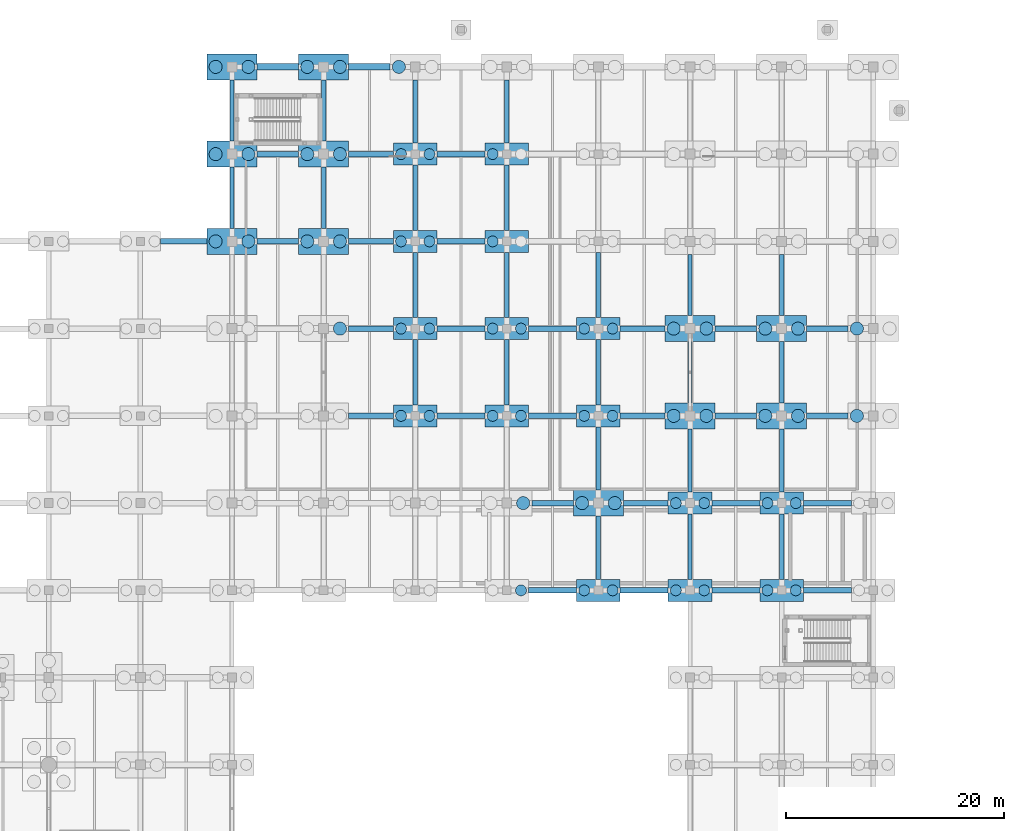
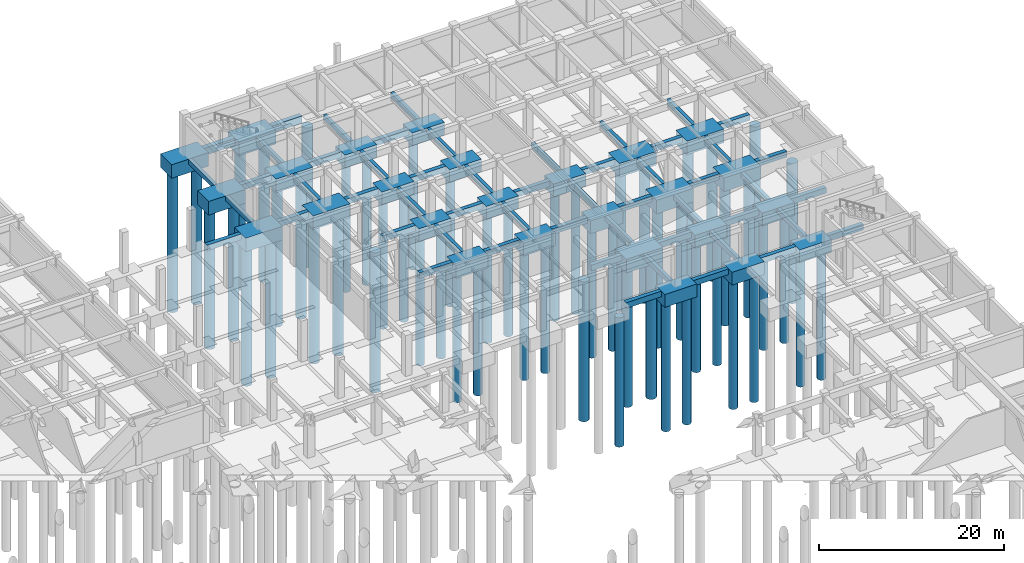
# One storey, part 8 of 56: 79 footings, 56 piles.
"""IFC4 building model written with IfcOpenShell, lengths in metres."""

from ifc_helpers import new_model, si_unit, direction, frame, origin, origin_2d, place, context, subcontext, project, spatial, rectangle, circle, extrude, material, material_profile, profile_set, type_object, element, save


model = new_model("IFC4")

# Units and contexts
model_context = context("Model", 3, precision=1e-05, world=origin(), true_north=direction((0.0, 1.0)))
body_context = subcontext(model_context, "Body", "Model", "MODEL_VIEW")
ifc_project = project(units=[si_unit("LENGTHUNIT", "METRE"), si_unit("AREAUNIT", "SQUARE_METRE"), si_unit("VOLUMEUNIT", "CUBIC_METRE"), si_unit("PLANEANGLEUNIT", "RADIAN"), si_unit("MASSUNIT", "GRAM", prefix="KILO")], contexts=[model_context])

# Site, building, storey
site_placement = place(None, origin())
site = spatial("IfcSite", under=ifc_project, at=site_placement, CompositionType="ELEMENT")
building_placement = place(site_placement, origin())
building = spatial("IfcBuilding", under=site, at=building_placement, Name="Naruveol Harbour Congress Hotel", CompositionType="ELEMENT")
storey_placement = place(building_placement, frame((0.0, 0.0, -5.39990234375)))
storey = spatial("IfcBuildingStorey", under=building, at=storey_placement, Name="B01", CompositionType="ELEMENT", Elevation=-5.39990234375)

# Piles
ifc_material_1 = material(Name="Concrete C40/50", Category="concrete")
ifc_material_profile_1 = material_profile(ifc_material_1, circle(Radius=0.5, at=origin_2d()), Name="BP-1000")
ifc_profile_set_1 = profile_set([ifc_material_profile_1], Name="Concrete C40/50")
pile_type_1 = type_object("IfcPileType", Name="BORED ROCK SOCKETED PILE D1000", PredefinedType="BORED", material=ifc_profile_set_1)
for number, where, z_axis, x_axis, name in (
    (1, (82.699951171875, 80.0, -1.550048828125), (0.0, 0.0, -1.0), (1.0, 0.0, 0.0), "Bored pile BP-1000 #1 under FTG-CAP-0840-0800"),
    (2, (85.300048828125, 80.0, -1.550048828125), (0.0, 0.0, -1.0), (1.0, 0.0, 0.0), "Bored pile BP-1000 #2 under FTG-CAP-0840-0800"),
    (3, (82.699951171875, 88.0, -1.550048828125), (0.0, 0.0, -1.0), (1.0, 0.0, 0.0), "Bored pile BP-1000 #1 under FTG-CAP-0840-0880"),
    (4, (85.300048828125, 88.0, -1.550048828125), (0.0, 0.0, -1.0), (1.0, 0.0, 0.0), "Bored pile BP-1000 #2 under FTG-CAP-0840-0880"),
    (5, (82.699951171875, 96.0, -1.550048828125), (0.0, 0.0, -1.0), (1.0, 0.0, 0.0), "Bored pile BP-1000 #1 under FTG-CAP-0840-0960"),
    (6, (85.300048828125, 96.0, -1.550048828125), (0.0, 0.0, -1.0), (1.0, 0.0, 0.0), "Bored pile BP-1000 #2 under FTG-CAP-0840-0960"),
    (7, (82.699951171875, 104.0, -1.550048828125), (0.0, 0.0, -1.0), (1.0, 0.0, 0.0), "Bored pile BP-1000 #1 under FTG-CAP-0840-1040"),
    (8, (85.300048828125, 104.0, -1.550048828125), (0.0, 0.0, -1.0), (1.0, 0.0, 0.0), "Bored pile BP-1000 #2 under FTG-CAP-0840-1040"),
    (9, (93.699951171875, 64.0, -1.550048828125), (0.0, 0.0, -1.0), (1.0, 0.0, 0.0), "Bored pile BP-1000 #2 under FTG-CAP-0924-0640"),
    (10, (91.10009765625, 80.0, -1.550048828125), (0.0, 0.0, -1.0), (1.0, 0.0, 0.0), "Bored pile BP-1000 #1 under FTG-CAP-0924-0800"),
    (11, (93.699951171875, 80.0, -1.550048828125), (0.0, 0.0, -1.0), (1.0, 0.0, 0.0), "Bored pile BP-1000 #2 under FTG-CAP-0924-0800"),
    (12, (91.10009765625, 88.0, -1.550048828125), (0.0, 0.0, -1.0), (1.0, 0.0, 0.0), "Bored pile BP-1000 #1 under FTG-CAP-0924-0880"),
    (13, (93.699951171875, 88.0, -1.550048828125), (0.0, 0.0, -1.0), (1.0, 0.0, 0.0), "Bored pile BP-1000 #2 under FTG-CAP-0924-0880"),
    (14, (91.10009765625, 96.0, -1.550048828125), (0.0, 0.0, -1.0), (1.0, 0.0, 0.0), "Bored pile BP-1000 #1 under FTG-CAP-0924-0960"),
    (15, (91.10009765625, 104.0, -1.550048828125), (0.0, 0.0, -1.0), (1.0, 0.0, 0.0), "Bored pile BP-1000 #1 under FTG-CAP-0924-1040"),
    (16, (99.5, 64.0, -1.550048828125), (0.0, 0.0, -1.0), (1.0, 0.0, 0.0), "Bored pile BP-1000 #1 under FTG-CAP-1008-0640"),
    (17, (102.10009765625, 64.0, -1.550048828125), (0.0, 0.0, -1.0), (1.0, 0.0, 0.0), "Bored pile BP-1000 #2 under FTG-CAP-1008-0640"),
    (18, (99.5, 80.0, -1.550048828125), (0.0, 0.0, -1.0), (1.0, 0.0, 0.0), "Bored pile BP-1000 #1 under FTG-CAP-1008-0800"),
    (19, (102.10009765625, 80.0, -1.550048828125), (0.0, 0.0, -1.0), (1.0, 0.0, 0.0), "Bored pile BP-1000 #2 under FTG-CAP-1008-0800"),
    (20, (99.5, 88.0, -1.550048828125), (0.0, 0.0, -1.0), (1.0, 0.0, 0.0), "Bored pile BP-1000 #1 under FTG-CAP-1008-0880"),
    (21, (102.10009765625, 88.0, -1.550048828125), (0.0, 0.0, -1.0), (1.0, 0.0, 0.0), "Bored pile BP-1000 #2 under FTG-CAP-1008-0880"),
    (22, (107.89990234375, 64.0, -1.550048828125), (0.0, 0.0, -1.0), (1.0, 0.0, 0.0), "Bored pile BP-1000 #1 under FTG-CAP-1092-0640"),
    (23, (110.5, 64.0, -1.550048828125), (0.0, 0.0, -1.0), (1.0, 0.0, 0.0), "Bored pile BP-1000 #2 under FTG-CAP-1092-0640"),
    (24, (107.89990234375, 72.0, -1.550048828125), (0.0, 0.0, -1.0), (1.0, 0.0, 0.0), "Bored pile BP-1000 #1 under FTG-CAP-1092-0720"),
    (25, (110.5, 72.0, -1.550048828125), (0.0, 0.0, -1.0), (1.0, 0.0, 0.0), "Bored pile BP-1000 #2 under FTG-CAP-1092-0720"),
    (26, (116.300048828125, 64.0, -1.550048828125), (0.0, 0.0, -1.0), (1.0, 0.0, 0.0), "Bored pile BP-1000 #1 under FTG-CAP-1176-0640"),
    (27, (118.89990234375, 64.0, -1.550048828125), (0.0, 0.0, -1.0), (1.0, 0.0, 0.0), "Bored pile BP-1000 #2 under FTG-CAP-1176-0640"),
    (28, (116.300048828125, 72.0, -1.550048828125), (0.0, 0.0, -1.0), (1.0, 0.0, 0.0), "Bored pile BP-1000 #1 under FTG-CAP-1176-0720"),
    (29, (118.89990234375, 72.0, -1.550048828125), (0.0, 0.0, -1.0), (1.0, 0.0, 0.0), "Bored pile BP-1000 #2 under FTG-CAP-1176-0720"),
):
    element("IfcPile", number, at=place(storey_placement, frame(where, z_axis=z_axis, x_axis=x_axis)), inside=storey, type_object=pile_type_1, Name=name, PredefinedType="BORED", context=body_context, shape_type="SweptSolid", body=[
        extrude(circle(Radius=0.5, at=origin_2d()), origin(), (0.0, 0.0, 1.0), 17.050048828125),
    ])
ifc_material_2 = material(Name="Concrete C40/50", Category="concrete")
ifc_material_profile_2 = material_profile(ifc_material_2, circle(Radius=0.60009765625, at=origin_2d()), Name="BP-1200")
ifc_profile_set_2 = profile_set([ifc_material_profile_2], Name="Concrete C40/50")
pile_type_2 = type_object("IfcPileType", Name="BORED ROCK SOCKETED PILE D1200", PredefinedType="BORED", material=ifc_profile_set_2)
for number, where, z_axis, x_axis, name in (
    (30, (65.699951171875, 96.0, -1.650146484375), (0.0, 0.0, -1.0), (1.0, 0.0, 0.0), "Bored pile BP-1200 #1 under FTG-CAP-0672-0960"),
    (31, (68.699951171875, 96.0, -1.650146484375), (0.0, 0.0, -1.0), (1.0, 0.0, 0.0), "Bored pile BP-1200 #2 under FTG-CAP-0672-0960"),
    (32, (65.699951171875, 104.0, -1.650146484375), (0.0, 0.0, -1.0), (1.0, 0.0, 0.0), "Bored pile BP-1200 #1 under FTG-CAP-0672-1040"),
    (33, (68.699951171875, 104.0, -1.650146484375), (0.0, 0.0, -1.0), (1.0, 0.0, 0.0), "Bored pile BP-1200 #2 under FTG-CAP-0672-1040"),
    (34, (65.699951171875, 112.0, -1.650146484375), (0.0, 0.0, -1.0), (1.0, 0.0, 0.0), "Bored pile BP-1200 #1 under FTG-CAP-0672-1120"),
    (35, (68.699951171875, 112.0, -1.650146484375), (0.0, 0.0, -1.0), (1.0, 0.0, 0.0), "Bored pile BP-1200 #2 under FTG-CAP-0672-1120"),
    (36, (77.10009765625, 88.0, -1.650146484375), (0.0, 0.0, -1.0), (1.0, 0.0, 0.0), "Bored pile BP-1200 #2 under FTG-CAP-0756-0880"),
    (37, (74.10009765625, 96.0, -1.650146484375), (0.0, 0.0, -1.0), (1.0, 0.0, 0.0), "Bored pile BP-1200 #1 under FTG-CAP-0756-0960"),
    (38, (77.10009765625, 96.0, -1.650146484375), (0.0, 0.0, -1.0), (1.0, 0.0, 0.0), "Bored pile BP-1200 #2 under FTG-CAP-0756-0960"),
    (39, (74.10009765625, 104.0, -1.650146484375), (0.0, 0.0, -1.0), (1.0, 0.0, 0.0), "Bored pile BP-1200 #1 under FTG-CAP-0756-1040"),
    (40, (77.10009765625, 104.0, -1.650146484375), (0.0, 0.0, -1.0), (1.0, 0.0, 0.0), "Bored pile BP-1200 #2 under FTG-CAP-0756-1040"),
    (41, (74.10009765625, 112.0, -1.650146484375), (0.0, 0.0, -1.0), (1.0, 0.0, 0.0), "Bored pile BP-1200 #1 under FTG-CAP-0756-1120"),
    (42, (77.10009765625, 112.0, -1.650146484375), (0.0, 0.0, -1.0), (1.0, 0.0, 0.0), "Bored pile BP-1200 #2 under FTG-CAP-0756-1120"),
    (43, (82.5, 112.0, -1.650146484375), (0.0, 0.0, -1.0), (1.0, 0.0, 0.0), "Bored pile BP-1200 #1 under FTG-CAP-0840-1120"),
    (44, (93.89990234375, 72.0, -1.650146484375), (0.0, 0.0, -1.0), (1.0, 0.0, 0.0), "Bored pile BP-1200 #2 under FTG-CAP-0924-0720"),
    (45, (99.300048828125, 72.0, -1.650146484375), (0.0, 0.0, -1.0), (1.0, 0.0, 0.0), "Bored pile BP-1200 #1 under FTG-CAP-1008-0720"),
    (46, (102.300048828125, 72.0, -1.650146484375), (0.0, 0.0, -1.0), (1.0, 0.0, 0.0), "Bored pile BP-1200 #2 under FTG-CAP-1008-0720"),
    (47, (107.699951171875, 80.0, -1.650146484375), (0.0, 0.0, -1.0), (1.0, 0.0, 0.0), "Bored pile BP-1200 #1 under FTG-CAP-1092-0800"),
    (48, (110.699951171875, 80.0, -1.650146484375), (0.0, 0.0, -1.0), (1.0, 0.0, 0.0), "Bored pile BP-1200 #2 under FTG-CAP-1092-0800"),
    (49, (107.699951171875, 88.0, -1.650146484375), (0.0, 0.0, -1.0), (1.0, 0.0, 0.0), "Bored pile BP-1200 #1 under FTG-CAP-1092-0880"),
    (50, (110.699951171875, 88.0, -1.650146484375), (0.0, 0.0, -1.0), (1.0, 0.0, 0.0), "Bored pile BP-1200 #2 under FTG-CAP-1092-0880"),
    (51, (116.10009765625, 80.0, -1.650146484375), (0.0, 0.0, -1.0), (1.0, 0.0, 0.0), "Bored pile BP-1200 #1 under FTG-CAP-1176-0800"),
    (52, (119.10009765625, 80.0, -1.650146484375), (0.0, 0.0, -1.0), (1.0, 0.0, 0.0), "Bored pile BP-1200 #2 under FTG-CAP-1176-0800"),
    (53, (116.10009765625, 88.0, -1.650146484375), (0.0, 0.0, -1.0), (1.0, 0.0, 0.0), "Bored pile BP-1200 #1 under FTG-CAP-1176-0880"),
    (54, (119.10009765625, 88.0, -1.650146484375), (0.0, 0.0, -1.0), (1.0, 0.0, 0.0), "Bored pile BP-1200 #2 under FTG-CAP-1176-0880"),
    (55, (124.5, 80.0, -1.650146484375), (0.0, 0.0, -1.0), (1.0, 0.0, 0.0), "Bored pile BP-1200 #1 under FTG-CAP-1260-0800"),
    (56, (124.5, 88.0, -1.650146484375), (0.0, 0.0, -1.0), (1.0, 0.0, 0.0), "Bored pile BP-1200 #1 under FTG-CAP-1260-0880"),
):
    element("IfcPile", number, at=place(storey_placement, frame(where, z_axis=z_axis, x_axis=x_axis)), inside=storey, type_object=pile_type_2, Name=name, PredefinedType="BORED", context=body_context, shape_type="SweptSolid", body=[
        extrude(circle(Radius=0.60009765625, at=origin_2d()), origin(), (0.0, 0.0, 1.0), 18.449951171875),
    ])

# Footings
ifc_material_3 = material(Name="Concrete C40/50", Category="concrete")
ifc_material_profile_3 = material_profile(ifc_material_3, rectangle(XDim=0.39990234375, YDim=0.64990234375, at=origin_2d()), Name="RCB-400x650")
ifc_profile_set_3 = profile_set([ifc_material_profile_3], Name="Concrete C40/50")
footing_type_1 = type_object("IfcFootingType", Name="RC COLONNADE TIE BEAM 400X650", PredefinedType="FOOTING_BEAM", material=ifc_profile_set_3)
for number, where, z_axis, x_axis, name in (
    (57, (67.199951171875, 97.199951171875, -0.3251953125), (0.0, 1.0, 0.0), (-1.0, 0.0, 0.0), "Foundation tie beam TB4 #346"),
    (58, (67.199951171875, 105.199951171875, -0.3251953125), (0.0, 1.0, 0.0), (-1.0, 0.0, 0.0), "Foundation tie beam TB4 #347"),
    (59, (75.60009765625, 97.199951171875, -0.3251953125), (0.0, 1.0, 0.0), (-1.0, 0.0, 0.0), "Foundation tie beam TB4 #356"),
    (60, (75.60009765625, 105.199951171875, -0.3251953125), (0.0, 1.0, 0.0), (-1.0, 0.0, 0.0), "Foundation tie beam TB4 #357"),
):
    element("IfcFooting", number, at=place(storey_placement, frame(where, z_axis=z_axis, x_axis=x_axis)), inside=storey, type_object=footing_type_1, Name=name, PredefinedType="FOOTING_BEAM", context=body_context, shape_type="SweptSolid", body=[
        extrude(rectangle(XDim=0.39990234375, YDim=0.64990234375, at=origin_2d()), origin(), (0.0, 0.0, 1.0), 5.60009765625),
    ])
for number, where, z_axis, x_axis, name in (
    (61, (84.0, 81.0, -0.3251953125), (0.0, 1.0, 0.0), (-1.0, 0.0, 0.0), "Foundation tie beam TB4 #364"),
    (62, (84.0, 89.0, -0.3251953125), (0.0, 1.0, 0.0), (-1.0, 0.0, 0.0), "Foundation tie beam TB4 #365"),
    (63, (84.0, 97.0, -0.3251953125), (0.0, 1.0, 0.0), (-1.0, 0.0, 0.0), "Foundation tie beam TB4 #366"),
):
    element("IfcFooting", number, at=place(storey_placement, frame(where, z_axis=z_axis, x_axis=x_axis)), inside=storey, type_object=footing_type_1, Name=name, PredefinedType="FOOTING_BEAM", context=body_context, shape_type="SweptSolid", body=[
        extrude(rectangle(XDim=0.39990234375, YDim=0.64990234375, at=origin_2d()), origin(), (0.0, 0.0, 1.0), 6.0),
    ])
footing_1_placement = place(storey_placement, frame((84.0, 105.0, -0.3251953125), z_axis=(0.0, 1.0, 0.0), x_axis=(-1.0, 0.0, 0.0)))
element("IfcFooting", 64, at=footing_1_placement, inside=storey, type_object=footing_type_1, Name="Foundation tie beam TB4 #367", PredefinedType="FOOTING_BEAM", context=body_context, shape_type="SweptSolid", body=[
    extrude(rectangle(XDim=0.39990234375, YDim=0.64990234375, at=origin_2d()), origin(), (0.0, 0.0, 1.0), 5.800048828125),
])
for number, where, z_axis, x_axis, name in (
    (65, (92.39990234375, 81.0, -0.3251953125), (0.0, 1.0, 0.0), (-1.0, 0.0, 0.0), "Foundation tie beam TB4 #374"),
    (66, (92.39990234375, 89.0, -0.3251953125), (0.0, 1.0, 0.0), (-1.0, 0.0, 0.0), "Foundation tie beam TB4 #375"),
    (67, (92.39990234375, 97.0, -0.3251953125), (0.0, 1.0, 0.0), (-1.0, 0.0, 0.0), "Foundation tie beam TB4 #376"),
):
    element("IfcFooting", number, at=place(storey_placement, frame(where, z_axis=z_axis, x_axis=x_axis)), inside=storey, type_object=footing_type_1, Name=name, PredefinedType="FOOTING_BEAM", context=body_context, shape_type="SweptSolid", body=[
        extrude(rectangle(XDim=0.39990234375, YDim=0.64990234375, at=origin_2d()), origin(), (0.0, 0.0, 1.0), 6.0),
    ])
for number, where, z_axis, x_axis, name in (
    (68, (92.39990234375, 105.0, -0.3251953125), (0.0, 1.0, 0.0), (-1.0, 0.0, 0.0), "Foundation tie beam TB4 #377"),
    (69, (100.800048828125, 65.0, -0.3251953125), (0.0, 1.0, 0.0), (-1.0, 0.0, 0.0), "Foundation tie beam TB4 #382"),
    (70, (100.800048828125, 73.199951171875, -0.3251953125), (0.0, 1.0, 0.0), (-1.0, 0.0, 0.0), "Foundation tie beam TB4 #383"),
):
    element("IfcFooting", number, at=place(storey_placement, frame(where, z_axis=z_axis, x_axis=x_axis)), inside=storey, type_object=footing_type_1, Name=name, PredefinedType="FOOTING_BEAM", context=body_context, shape_type="SweptSolid", body=[
        extrude(rectangle(XDim=0.39990234375, YDim=0.64990234375, at=origin_2d()), origin(), (0.0, 0.0, 1.0), 5.800048828125),
    ])
for number, where, z_axis, x_axis, name in (
    (71, (100.800048828125, 81.0, -0.3251953125), (0.0, 1.0, 0.0), (-1.0, 0.0, 0.0), "Foundation tie beam TB4 #384"),
    (72, (100.800048828125, 89.0, -0.3251953125), (0.0, 1.0, 0.0), (-1.0, 0.0, 0.0), "Foundation tie beam TB4 #385"),
    (73, (109.199951171875, 65.0, -0.3251953125), (0.0, 1.0, 0.0), (-1.0, 0.0, 0.0), "Foundation tie beam TB4 #396"),
):
    element("IfcFooting", number, at=place(storey_placement, frame(where, z_axis=z_axis, x_axis=x_axis)), inside=storey, type_object=footing_type_1, Name=name, PredefinedType="FOOTING_BEAM", context=body_context, shape_type="SweptSolid", body=[
        extrude(rectangle(XDim=0.39990234375, YDim=0.64990234375, at=origin_2d()), origin(), (0.0, 0.0, 1.0), 6.0),
    ])
footing_2_placement = place(storey_placement, frame((109.199951171875, 73.0, -0.3251953125), z_axis=(0.0, 1.0, 0.0), x_axis=(-1.0, 0.0, 0.0)))
element("IfcFooting", 74, at=footing_2_placement, inside=storey, type_object=footing_type_1, Name="Foundation tie beam TB4 #397", PredefinedType="FOOTING_BEAM", context=body_context, shape_type="SweptSolid", body=[
    extrude(rectangle(XDim=0.39990234375, YDim=0.64990234375, at=origin_2d()), origin(), (0.0, 0.0, 1.0), 5.800048828125),
])
for number, where, z_axis, x_axis, name in (
    (75, (109.199951171875, 81.199951171875, -0.3251953125), (0.0, 1.0, 0.0), (-1.0, 0.0, 0.0), "Foundation tie beam TB4 #398"),
    (76, (109.199951171875, 89.199951171875, -0.3251953125), (0.0, 1.0, 0.0), (-1.0, 0.0, 0.0), "Foundation tie beam TB4 #399"),
):
    element("IfcFooting", number, at=place(storey_placement, frame(where, z_axis=z_axis, x_axis=x_axis)), inside=storey, type_object=footing_type_1, Name=name, PredefinedType="FOOTING_BEAM", context=body_context, shape_type="SweptSolid", body=[
        extrude(rectangle(XDim=0.39990234375, YDim=0.64990234375, at=origin_2d()), origin(), (0.0, 0.0, 1.0), 5.60009765625),
    ])
footing_3_placement = place(storey_placement, frame((117.60009765625, 65.0, -0.3251953125), z_axis=(0.0, 1.0, 0.0), x_axis=(-1.0, 0.0, 0.0)))
element("IfcFooting", 77, at=footing_3_placement, inside=storey, type_object=footing_type_1, Name="Foundation tie beam TB4 #409", PredefinedType="FOOTING_BEAM", context=body_context, shape_type="SweptSolid", body=[
    extrude(rectangle(XDim=0.39990234375, YDim=0.64990234375, at=origin_2d()), origin(), (0.0, 0.0, 1.0), 6.0),
])
footing_4_placement = place(storey_placement, frame((117.60009765625, 73.0, -0.3251953125), z_axis=(0.0, 1.0, 0.0), x_axis=(-1.0, 0.0, 0.0)))
element("IfcFooting", 78, at=footing_4_placement, inside=storey, type_object=footing_type_1, Name="Foundation tie beam TB4 #410", PredefinedType="FOOTING_BEAM", context=body_context, shape_type="SweptSolid", body=[
    extrude(rectangle(XDim=0.39990234375, YDim=0.64990234375, at=origin_2d()), origin(), (0.0, 0.0, 1.0), 5.800048828125),
])
for number, where, z_axis, x_axis, name in (
    (79, (117.60009765625, 81.199951171875, -0.3251953125), (0.0, 1.0, 0.0), (-1.0, 0.0, 0.0), "Foundation tie beam TB4 #411"),
    (80, (117.60009765625, 89.199951171875, -0.3251953125), (0.0, 1.0, 0.0), (-1.0, 0.0, 0.0), "Foundation tie beam TB4 #412"),
):
    element("IfcFooting", number, at=place(storey_placement, frame(where, z_axis=z_axis, x_axis=x_axis)), inside=storey, type_object=footing_type_1, Name=name, PredefinedType="FOOTING_BEAM", context=body_context, shape_type="SweptSolid", body=[
        extrude(rectangle(XDim=0.39990234375, YDim=0.64990234375, at=origin_2d()), origin(), (0.0, 0.0, 1.0), 5.60009765625),
    ])
ifc_material_4 = material(Name="Concrete C40/50", Category="concrete")
ifc_material_profile_4 = material_profile(ifc_material_4, rectangle(XDim=0.5, YDim=0.75, at=origin_2d()), Name="RCB-500x750")
ifc_profile_set_4 = profile_set([ifc_material_profile_4], Name="Concrete C40/50")
footing_type_2 = type_object("IfcFootingType", Name="RC FOUNDATION TIE BEAM 500X750", PredefinedType="FOOTING_BEAM", material=ifc_profile_set_4)
footing_5_placement = place(storey_placement, frame((94.39990234375, 64.0, -0.375), z_axis=(1.0, 0.0, 0.0), x_axis=(0.0, 1.0, 0.0)))
element("IfcFooting", 81, at=footing_5_placement, inside=storey, type_object=footing_type_2, Name="Foundation tie beam TB2 #138", PredefinedType="FOOTING_BEAM", context=body_context, shape_type="SweptSolid", body=[
    extrude(rectangle(XDim=0.5, YDim=0.75, at=origin_2d()), origin(), (0.0, 0.0, 1.0), 4.400146484375),
])
footing_6_placement = place(storey_placement, frame((102.800048828125, 64.0, -0.375), z_axis=(1.0, 0.0, 0.0), x_axis=(0.0, 1.0, 0.0)))
element("IfcFooting", 82, at=footing_6_placement, inside=storey, type_object=footing_type_2, Name="Foundation tie beam TB2 #139", PredefinedType="FOOTING_BEAM", context=body_context, shape_type="SweptSolid", body=[
    extrude(rectangle(XDim=0.5, YDim=0.75, at=origin_2d()), origin(), (0.0, 0.0, 1.0), 4.39990234375),
])
footing_7_placement = place(storey_placement, frame((111.199951171875, 64.0, -0.375), z_axis=(1.0, 0.0, 0.0), x_axis=(0.0, 1.0, 0.0)))
element("IfcFooting", 83, at=footing_7_placement, inside=storey, type_object=footing_type_2, Name="Foundation tie beam TB2 #140", PredefinedType="FOOTING_BEAM", context=body_context, shape_type="SweptSolid", body=[
    extrude(rectangle(XDim=0.5, YDim=0.75, at=origin_2d()), origin(), (0.0, 0.0, 1.0), 4.400146484375),
])
footing_8_placement = place(storey_placement, frame((119.60009765625, 64.0, -0.375), z_axis=(1.0, 0.0, 0.0), x_axis=(0.0, 1.0, 0.0)))
element("IfcFooting", 84, at=footing_8_placement, inside=storey, type_object=footing_type_2, Name="Foundation tie beam TB2 #141", PredefinedType="FOOTING_BEAM", context=body_context, shape_type="SweptSolid", body=[
    extrude(rectangle(XDim=0.5, YDim=0.75, at=origin_2d()), origin(), (0.0, 0.0, 1.0), 4.39990234375),
])
footing_9_placement = place(storey_placement, frame((94.699951171875, 72.0, -0.375), z_axis=(1.0, 0.0, 0.0), x_axis=(0.0, 1.0, 0.0)))
element("IfcFooting", 85, at=footing_9_placement, inside=storey, type_object=footing_type_2, Name="Foundation tie beam TB2 #153", PredefinedType="FOOTING_BEAM", context=body_context, shape_type="SweptSolid", body=[
    extrude(rectangle(XDim=0.5, YDim=0.75, at=origin_2d()), origin(), (0.0, 0.0, 1.0), 3.800048828125),
])
footing_10_placement = place(storey_placement, frame((103.10009765625, 72.0, -0.375), z_axis=(1.0, 0.0, 0.0), x_axis=(0.0, 1.0, 0.0)))
element("IfcFooting", 86, at=footing_10_placement, inside=storey, type_object=footing_type_2, Name="Foundation tie beam TB2 #154", PredefinedType="FOOTING_BEAM", context=body_context, shape_type="SweptSolid", body=[
    extrude(rectangle(XDim=0.5, YDim=0.75, at=origin_2d()), origin(), (0.0, 0.0, 1.0), 4.099853515625),
])
footing_11_placement = place(storey_placement, frame((111.199951171875, 72.0, -0.375), z_axis=(1.0, 0.0, 0.0), x_axis=(0.0, 1.0, 0.0)))
element("IfcFooting", 87, at=footing_11_placement, inside=storey, type_object=footing_type_2, Name="Foundation tie beam TB2 #155", PredefinedType="FOOTING_BEAM", context=body_context, shape_type="SweptSolid", body=[
    extrude(rectangle(XDim=0.5, YDim=0.75, at=origin_2d()), origin(), (0.0, 0.0, 1.0), 4.400146484375),
])
footing_12_placement = place(storey_placement, frame((119.60009765625, 72.0, -0.375), z_axis=(1.0, 0.0, 0.0), x_axis=(0.0, 1.0, 0.0)))
element("IfcFooting", 88, at=footing_12_placement, inside=storey, type_object=footing_type_2, Name="Foundation tie beam TB2 #156", PredefinedType="FOOTING_BEAM", context=body_context, shape_type="SweptSolid", body=[
    extrude(rectangle(XDim=0.5, YDim=0.75, at=origin_2d()), origin(), (0.0, 0.0, 1.0), 4.39990234375),
])
footing_13_placement = place(storey_placement, frame((77.89990234375, 80.0, -0.375), z_axis=(1.0, 0.0, 0.0), x_axis=(0.0, 1.0, 0.0)))
element("IfcFooting", 89, at=footing_13_placement, inside=storey, type_object=footing_type_2, Name="Foundation tie beam TB2 #166", PredefinedType="FOOTING_BEAM", context=body_context, shape_type="SweptSolid", body=[
    extrude(rectangle(XDim=0.5, YDim=0.75, at=origin_2d()), origin(), (0.0, 0.0, 1.0), 4.10009765625),
])
footing_14_placement = place(storey_placement, frame((86.0, 80.0, -0.375), z_axis=(1.0, 0.0, 0.0), x_axis=(0.0, 1.0, 0.0)))
element("IfcFooting", 90, at=footing_14_placement, inside=storey, type_object=footing_type_2, Name="Foundation tie beam TB2 #167", PredefinedType="FOOTING_BEAM", context=body_context, shape_type="SweptSolid", body=[
    extrude(rectangle(XDim=0.5, YDim=0.75, at=origin_2d()), origin(), (0.0, 0.0, 1.0), 4.39990234375),
])
footing_15_placement = place(storey_placement, frame((94.39990234375, 80.0, -0.375), z_axis=(1.0, 0.0, 0.0), x_axis=(0.0, 1.0, 0.0)))
element("IfcFooting", 91, at=footing_15_placement, inside=storey, type_object=footing_type_2, Name="Foundation tie beam TB2 #168", PredefinedType="FOOTING_BEAM", context=body_context, shape_type="SweptSolid", body=[
    extrude(rectangle(XDim=0.5, YDim=0.75, at=origin_2d()), origin(), (0.0, 0.0, 1.0), 4.400146484375),
])
footing_16_placement = place(storey_placement, frame((102.800048828125, 80.0, -0.375), z_axis=(1.0, 0.0, 0.0), x_axis=(0.0, 1.0, 0.0)))
element("IfcFooting", 92, at=footing_16_placement, inside=storey, type_object=footing_type_2, Name="Foundation tie beam TB2 #169", PredefinedType="FOOTING_BEAM", context=body_context, shape_type="SweptSolid", body=[
    extrude(rectangle(XDim=0.5, YDim=0.75, at=origin_2d()), origin(), (0.0, 0.0, 1.0), 4.099853515625),
])
for number, where, z_axis, x_axis, name in (
    (93, (111.5, 80.0, -0.375), (1.0, 0.0, 0.0), (0.0, 1.0, 0.0), "Foundation tie beam TB2 #170"),
    (94, (119.89990234375, 80.0, -0.375), (1.0, 0.0, 0.0), (0.0, 1.0, 0.0), "Foundation tie beam TB2 #171"),
):
    element("IfcFooting", number, at=place(storey_placement, frame(where, z_axis=z_axis, x_axis=x_axis)), inside=storey, type_object=footing_type_2, Name=name, PredefinedType="FOOTING_BEAM", context=body_context, shape_type="SweptSolid", body=[
        extrude(rectangle(XDim=0.5, YDim=0.75, at=origin_2d()), origin(), (0.0, 0.0, 1.0), 3.800048828125),
    ])
footing_17_placement = place(storey_placement, frame((77.89990234375, 88.0, -0.375), z_axis=(1.0, 0.0, 0.0), x_axis=(0.0, 1.0, 0.0)))
element("IfcFooting", 95, at=footing_17_placement, inside=storey, type_object=footing_type_2, Name="Foundation tie beam TB2 #181", PredefinedType="FOOTING_BEAM", context=body_context, shape_type="SweptSolid", body=[
    extrude(rectangle(XDim=0.5, YDim=0.75, at=origin_2d()), origin(), (0.0, 0.0, 1.0), 4.10009765625),
])
footing_18_placement = place(storey_placement, frame((86.0, 88.0, -0.375), z_axis=(1.0, 0.0, 0.0), x_axis=(0.0, 1.0, 0.0)))
element("IfcFooting", 96, at=footing_18_placement, inside=storey, type_object=footing_type_2, Name="Foundation tie beam TB2 #182", PredefinedType="FOOTING_BEAM", context=body_context, shape_type="SweptSolid", body=[
    extrude(rectangle(XDim=0.5, YDim=0.75, at=origin_2d()), origin(), (0.0, 0.0, 1.0), 4.39990234375),
])
footing_19_placement = place(storey_placement, frame((94.39990234375, 88.0, -0.375), z_axis=(1.0, 0.0, 0.0), x_axis=(0.0, 1.0, 0.0)))
element("IfcFooting", 97, at=footing_19_placement, inside=storey, type_object=footing_type_2, Name="Foundation tie beam TB2 #183", PredefinedType="FOOTING_BEAM", context=body_context, shape_type="SweptSolid", body=[
    extrude(rectangle(XDim=0.5, YDim=0.75, at=origin_2d()), origin(), (0.0, 0.0, 1.0), 4.400146484375),
])
footing_20_placement = place(storey_placement, frame((102.800048828125, 88.0, -0.375), z_axis=(1.0, 0.0, 0.0), x_axis=(0.0, 1.0, 0.0)))
element("IfcFooting", 98, at=footing_20_placement, inside=storey, type_object=footing_type_2, Name="Foundation tie beam TB2 #184", PredefinedType="FOOTING_BEAM", context=body_context, shape_type="SweptSolid", body=[
    extrude(rectangle(XDim=0.5, YDim=0.75, at=origin_2d()), origin(), (0.0, 0.0, 1.0), 4.099853515625),
])
for number, where, z_axis, x_axis, name in (
    (99, (111.5, 88.0, -0.375), (1.0, 0.0, 0.0), (0.0, 1.0, 0.0), "Foundation tie beam TB2 #185"),
    (100, (119.89990234375, 88.0, -0.375), (1.0, 0.0, 0.0), (0.0, 1.0, 0.0), "Foundation tie beam TB2 #186"),
):
    element("IfcFooting", number, at=place(storey_placement, frame(where, z_axis=z_axis, x_axis=x_axis)), inside=storey, type_object=footing_type_2, Name=name, PredefinedType="FOOTING_BEAM", context=body_context, shape_type="SweptSolid", body=[
        extrude(rectangle(XDim=0.5, YDim=0.75, at=origin_2d()), origin(), (0.0, 0.0, 1.0), 3.800048828125),
    ])
footing_21_placement = place(storey_placement, frame((60.64990234375, 96.0, -0.375), z_axis=(1.0, 0.0, 0.0), x_axis=(0.0, 1.0, 0.0)))
element("IfcFooting", 101, at=footing_21_placement, inside=storey, type_object=footing_type_2, Name="Foundation tie beam TB2 #194", PredefinedType="FOOTING_BEAM", context=body_context, shape_type="SweptSolid", body=[
    extrude(rectangle(XDim=0.5, YDim=0.75, at=origin_2d()), origin(), (0.0, 0.0, 1.0), 4.25),
])
footing_22_placement = place(storey_placement, frame((69.5, 96.0, -0.375), z_axis=(1.0, 0.0, 0.0), x_axis=(0.0, 1.0, 0.0)))
element("IfcFooting", 102, at=footing_22_placement, inside=storey, type_object=footing_type_2, Name="Foundation tie beam TB2 #195", PredefinedType="FOOTING_BEAM", context=body_context, shape_type="SweptSolid", body=[
    extrude(rectangle(XDim=0.5, YDim=0.75, at=origin_2d()), origin(), (0.0, 0.0, 1.0), 3.800048828125),
])
footing_23_placement = place(storey_placement, frame((77.89990234375, 96.0, -0.375), z_axis=(1.0, 0.0, 0.0), x_axis=(0.0, 1.0, 0.0)))
element("IfcFooting", 103, at=footing_23_placement, inside=storey, type_object=footing_type_2, Name="Foundation tie beam TB2 #196", PredefinedType="FOOTING_BEAM", context=body_context, shape_type="SweptSolid", body=[
    extrude(rectangle(XDim=0.5, YDim=0.75, at=origin_2d()), origin(), (0.0, 0.0, 1.0), 4.10009765625),
])
footing_24_placement = place(storey_placement, frame((86.0, 96.0, -0.375), z_axis=(1.0, 0.0, 0.0), x_axis=(0.0, 1.0, 0.0)))
element("IfcFooting", 104, at=footing_24_placement, inside=storey, type_object=footing_type_2, Name="Foundation tie beam TB2 #197", PredefinedType="FOOTING_BEAM", context=body_context, shape_type="SweptSolid", body=[
    extrude(rectangle(XDim=0.5, YDim=0.75, at=origin_2d()), origin(), (0.0, 0.0, 1.0), 4.39990234375),
])
footing_25_placement = place(storey_placement, frame((69.5, 104.0, -0.375), z_axis=(1.0, 0.0, 0.0), x_axis=(0.0, 1.0, 0.0)))
element("IfcFooting", 105, at=footing_25_placement, inside=storey, type_object=footing_type_2, Name="Foundation tie beam TB2 #207", PredefinedType="FOOTING_BEAM", context=body_context, shape_type="SweptSolid", body=[
    extrude(rectangle(XDim=0.5, YDim=0.75, at=origin_2d()), origin(), (0.0, 0.0, 1.0), 3.800048828125),
])
footing_26_placement = place(storey_placement, frame((77.89990234375, 104.0, -0.375), z_axis=(1.0, 0.0, 0.0), x_axis=(0.0, 1.0, 0.0)))
element("IfcFooting", 106, at=footing_26_placement, inside=storey, type_object=footing_type_2, Name="Foundation tie beam TB2 #208", PredefinedType="FOOTING_BEAM", context=body_context, shape_type="SweptSolid", body=[
    extrude(rectangle(XDim=0.5, YDim=0.75, at=origin_2d()), origin(), (0.0, 0.0, 1.0), 4.10009765625),
])
footing_27_placement = place(storey_placement, frame((86.0, 104.0, -0.375), z_axis=(1.0, 0.0, 0.0), x_axis=(0.0, 1.0, 0.0)))
element("IfcFooting", 107, at=footing_27_placement, inside=storey, type_object=footing_type_2, Name="Foundation tie beam TB2 #209", PredefinedType="FOOTING_BEAM", context=body_context, shape_type="SweptSolid", body=[
    extrude(rectangle(XDim=0.5, YDim=0.75, at=origin_2d()), origin(), (0.0, 0.0, 1.0), 4.39990234375),
])
ifc_material_5 = material(Name="Concrete C40/50", Category="concrete")
ifc_material_profile_5 = material_profile(ifc_material_5, rectangle(XDim=0.60009765625, YDim=0.949951171875, at=origin_2d()), Name="RCB-600x950")
ifc_profile_set_5 = profile_set([ifc_material_profile_5], Name="Concrete C40/50")
footing_type_3 = type_object("IfcFootingType", Name="RC FOUNDATION TIE BEAM 600X900", PredefinedType="FOOTING_BEAM", material=ifc_profile_set_5)
for number, where, z_axis, x_axis, name in (
    (108, (69.5, 112.0, -0.47509765625), (1.0, 0.0, 0.0), (0.0, 1.0, 0.0), "Foundation tie beam TB1 #219"),
    (109, (77.89990234375, 112.0, -0.47509765625), (1.0, 0.0, 0.0), (0.0, 1.0, 0.0), "Foundation tie beam TB1 #220"),
):
    element("IfcFooting", number, at=place(storey_placement, frame(where, z_axis=z_axis, x_axis=x_axis)), inside=storey, type_object=footing_type_3, Name=name, PredefinedType="FOOTING_BEAM", context=body_context, shape_type="SweptSolid", body=[
        extrude(rectangle(XDim=0.60009765625, YDim=0.949951171875, at=origin_2d()), origin(), (0.0, 0.0, 1.0), 3.800048828125),
    ])
ifc_material_6 = material(Name="Concrete C40/50", Category="concrete")
footing_type_4 = type_object("IfcFootingType", Name="RC HALL PILE CAP 4600X2400X1800", PredefinedType="PILE_CAP", material=ifc_material_6)
for number, where, z_axis, x_axis, name in (
    (110, (67.199951171875, 96.0, -1.80029296875), (0.0, 0.0, 1.0), (1.0, 0.0, 0.0), "Pile cap PC5 at (67.2, 96.0)"),
    (111, (67.199951171875, 104.0, -1.80029296875), (0.0, 0.0, 1.0), (1.0, 0.0, 0.0), "Pile cap PC5 at (67.2, 104.0)"),
    (112, (67.199951171875, 112.0, -1.80029296875), (0.0, 0.0, 1.0), (1.0, 0.0, 0.0), "Pile cap PC5 at (67.2, 112.0)"),
    (113, (75.60009765625, 96.0, -1.80029296875), (0.0, 0.0, 1.0), (1.0, 0.0, 0.0), "Pile cap PC5 at (75.6, 96.0)"),
    (114, (75.60009765625, 104.0, -1.80029296875), (0.0, 0.0, 1.0), (1.0, 0.0, 0.0), "Pile cap PC5 at (75.6, 104.0)"),
    (115, (75.60009765625, 112.0, -1.80029296875), (0.0, 0.0, 1.0), (1.0, 0.0, 0.0), "Pile cap PC5 at (75.6, 112.0)"),
    (116, (100.800048828125, 72.0, -1.80029296875), (0.0, 0.0, 1.0), (1.0, 0.0, 0.0), "Pile cap PC5 at (100.8, 72.0)"),
    (117, (109.199951171875, 80.0, -1.80029296875), (0.0, 0.0, 1.0), (1.0, 0.0, 0.0), "Pile cap PC5 at (109.2, 80.0)"),
    (118, (109.199951171875, 88.0, -1.80029296875), (0.0, 0.0, 1.0), (1.0, 0.0, 0.0), "Pile cap PC5 at (109.2, 88.0)"),
    (119, (117.60009765625, 80.0, -1.80029296875), (0.0, 0.0, 1.0), (1.0, 0.0, 0.0), "Pile cap PC5 at (117.6, 80.0)"),
    (120, (117.60009765625, 88.0, -1.80029296875), (0.0, 0.0, 1.0), (1.0, 0.0, 0.0), "Pile cap PC5 at (117.6, 88.0)"),
):
    element("IfcFooting", number, at=place(storey_placement, frame(where, z_axis=z_axis, x_axis=x_axis)), inside=storey, type_object=footing_type_4, Name=name, PredefinedType="PILE_CAP", context=body_context, shape_type="SweptSolid", body=[
        extrude(rectangle(XDim=4.60009765625, YDim=2.39990234375, at=origin_2d()), origin(), (0.0, 0.0, 1.0), 1.800048828125),
    ])
ifc_material_7 = material(Name="Concrete C40/50", Category="concrete")
footing_type_5 = type_object("IfcFootingType", Name="RC PODIUM PILE CAP 4000X2000X1700", PredefinedType="PILE_CAP", material=ifc_material_7)
for number, where, z_axis, x_axis, name in (
    (121, (84.0, 80.0, -1.7001953125), (0.0, 0.0, 1.0), (1.0, 0.0, 0.0), "Pile cap PC6 at (84.0, 80.0)"),
    (122, (84.0, 88.0, -1.7001953125), (0.0, 0.0, 1.0), (1.0, 0.0, 0.0), "Pile cap PC6 at (84.0, 88.0)"),
    (123, (84.0, 96.0, -1.7001953125), (0.0, 0.0, 1.0), (1.0, 0.0, 0.0), "Pile cap PC6 at (84.0, 96.0)"),
    (124, (84.0, 104.0, -1.7001953125), (0.0, 0.0, 1.0), (1.0, 0.0, 0.0), "Pile cap PC6 at (84.0, 104.0)"),
    (125, (92.39990234375, 80.0, -1.7001953125), (0.0, 0.0, 1.0), (1.0, 0.0, 0.0), "Pile cap PC6 at (92.4, 80.0)"),
    (126, (92.39990234375, 88.0, -1.7001953125), (0.0, 0.0, 1.0), (1.0, 0.0, 0.0), "Pile cap PC6 at (92.4, 88.0)"),
    (127, (92.39990234375, 96.0, -1.7001953125), (0.0, 0.0, 1.0), (1.0, 0.0, 0.0), "Pile cap PC6 at (92.4, 96.0)"),
    (128, (92.39990234375, 104.0, -1.7001953125), (0.0, 0.0, 1.0), (1.0, 0.0, 0.0), "Pile cap PC6 at (92.4, 104.0)"),
    (129, (100.800048828125, 64.0, -1.7001953125), (0.0, 0.0, 1.0), (1.0, 0.0, 0.0), "Pile cap PC6 at (100.8, 64.0)"),
    (130, (100.800048828125, 80.0, -1.7001953125), (0.0, 0.0, 1.0), (1.0, 0.0, 0.0), "Pile cap PC6 at (100.8, 80.0)"),
    (131, (100.800048828125, 88.0, -1.7001953125), (0.0, 0.0, 1.0), (1.0, 0.0, 0.0), "Pile cap PC6 at (100.8, 88.0)"),
    (132, (109.199951171875, 64.0, -1.7001953125), (0.0, 0.0, 1.0), (1.0, 0.0, 0.0), "Pile cap PC6 at (109.2, 64.0)"),
    (133, (109.199951171875, 72.0, -1.7001953125), (0.0, 0.0, 1.0), (1.0, 0.0, 0.0), "Pile cap PC6 at (109.2, 72.0)"),
    (134, (117.60009765625, 64.0, -1.7001953125), (0.0, 0.0, 1.0), (1.0, 0.0, 0.0), "Pile cap PC6 at (117.6, 64.0)"),
    (135, (117.60009765625, 72.0, -1.7001953125), (0.0, 0.0, 1.0), (1.0, 0.0, 0.0), "Pile cap PC6 at (117.6, 72.0)"),
):
    element("IfcFooting", number, at=place(storey_placement, frame(where, z_axis=z_axis, x_axis=x_axis)), inside=storey, type_object=footing_type_5, Name=name, PredefinedType="PILE_CAP", context=body_context, shape_type="SweptSolid", body=[
        extrude(rectangle(XDim=4.0, YDim=2.0, at=origin_2d()), origin(), (0.0, 0.0, 1.0), 1.699951171875),
    ])

save(model, "model.ifc")
